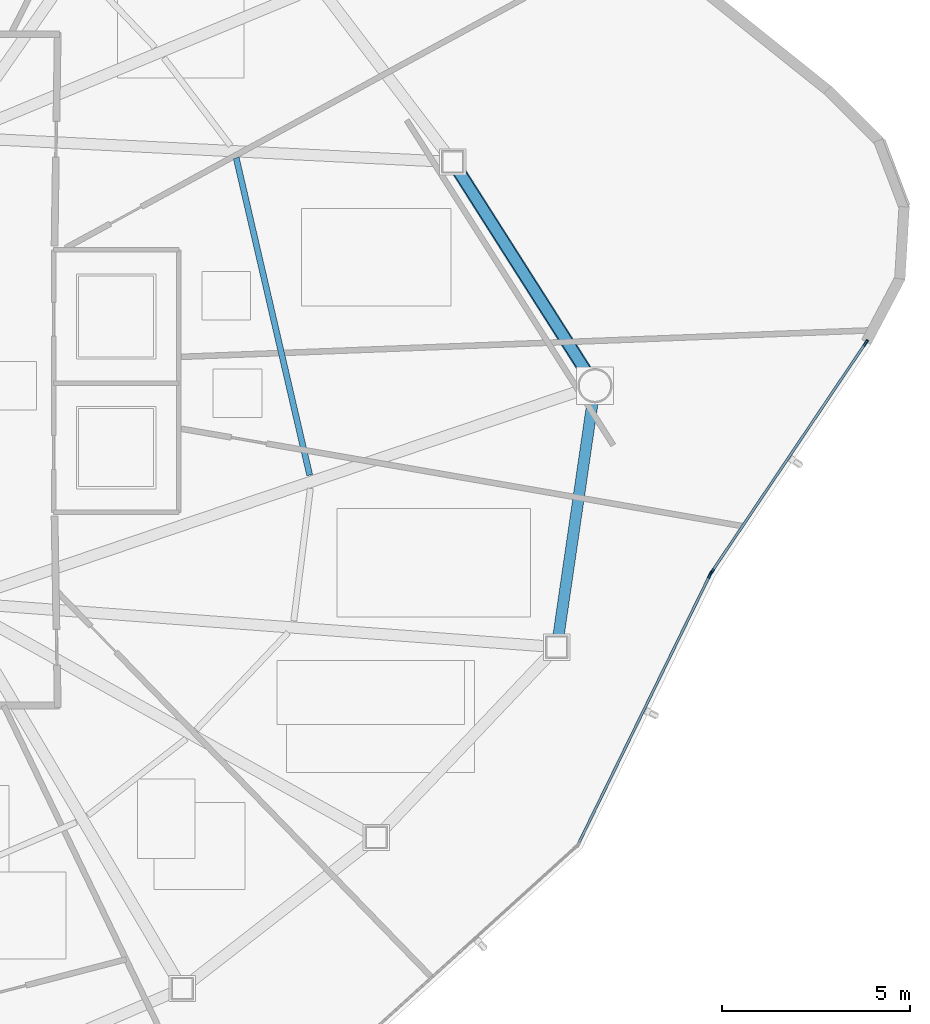
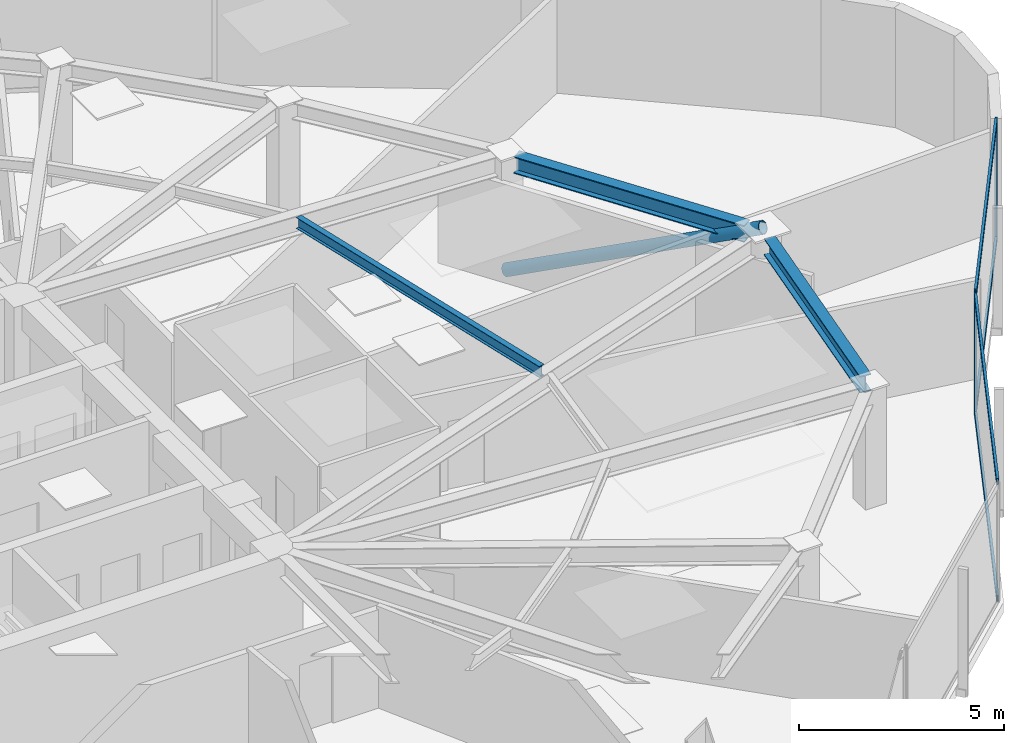
# One storey, part 6 of 17: 8 members, 3 beams, 2 elements without a shape of their own.
"""IFC4 building model written with IfcOpenShell, lengths in metres."""

from ifc_helpers import new_model, si_unit, direction, frame, origin, origin_2d, place, context, subcontext, project, spatial, hollow_rectangle, hollow_circle, i_section, extrude, source, transform, mapped, material, layer, layer_set, material_profile, profile_set, type_object, type_shapes, element, aggregate, save


model = new_model("IFC4")

# Units and contexts
model_context = context("Model", 3, precision=1e-05, world=origin(), true_north=direction((0.0, 1.0)))
body_context = subcontext(model_context, "Body", "Model", "MODEL_VIEW")
ifc_project = project(units=[si_unit("LENGTHUNIT", "METRE"), si_unit("AREAUNIT", "SQUARE_METRE"), si_unit("VOLUMEUNIT", "CUBIC_METRE"), si_unit("PLANEANGLEUNIT", "RADIAN"), si_unit("MASSUNIT", "GRAM", prefix="KILO")], contexts=[model_context])

# Site, building, storey
site_placement = place(None, origin())
site = spatial("IfcSite", under=ifc_project, at=site_placement, CompositionType="ELEMENT")
building_placement = place(site_placement, origin())
building = spatial("IfcBuilding", under=site, at=building_placement, Name="Tavelor Broadcast Tower", CompositionType="ELEMENT")
storey_placement = place(building_placement, frame((0.0, 0.0, 196.449951171875)))
storey = spatial("IfcBuildingStorey", under=building, at=storey_placement, Name="L47", CompositionType="ELEMENT", Elevation=196.449951171875)

# Beams
ifc_material_1 = material(Name="Steel S355", Category="steel")
ifc_material_profile_1 = material_profile(ifc_material_1, i_section(OverallWidth=0.159912109375, OverallDepth=0.330078125, WebThickness=0.007568359375, FlangeThickness=0.011474609375, at=origin_2d()), Name="IPE 330")
ifc_profile_set_1 = profile_set([ifc_material_profile_1], Name="Steel S355")
beam_type_1 = type_object("IfcBeamType", Name="Composite Floor Joist T4 IPE 330", PredefinedType="JOIST", material=ifc_profile_set_1)
beam_1_placement = place(storey_placement, frame((66.069091796875, 42.195068359375, 3.385009765625), z_axis=(-0.225617102792, 0.974216055569, 0.0), x_axis=(-0.974216055569, -0.225617102792, 0.0)))
element("IfcBeam", 1, at=beam_1_placement, inside=storey, type_object=beam_type_1, Name="L47 Secondary Composite Floor Joist 13", PredefinedType="JOIST", context=body_context, shape_type="SweptSolid", body=[
    extrude(i_section(OverallWidth=0.159912109375, OverallDepth=0.330078125, WebThickness=0.007568359375, FlangeThickness=0.011474609375, at=origin_2d()), origin(), (0.0, 0.0, 1.0), 8.683837890625),
])
ifc_material_profile_2 = material_profile(ifc_material_1, i_section(OverallWidth=0.300048828125, OverallDepth=0.5, WebThickness=0.014404296875, FlangeThickness=0.028076171875, at=origin_2d()), Name="HEB 500")
ifc_profile_set_2 = profile_set([ifc_material_profile_2], Name="Steel S355")
beam_type_2 = type_object("IfcBeamType", Name="Perimeter Spandrel Beam T4 HEB 500", PredefinedType="SPANDREL", material=ifc_profile_set_2)
beam_2_placement = place(storey_placement, frame((72.700927734375, 37.892333984375, 3.300048828125), z_axis=(0.144298223799, 0.989534245293, 0.0), x_axis=(-0.989534245293, 0.144298223799, 0.0)))
element("IfcBeam", 2, at=beam_2_placement, inside=storey, type_object=beam_type_2, Name="L47 Framed-Tube Ring Spandrel 12", PredefinedType="SPANDREL", context=body_context, shape_type="SweptSolid", body=[
    extrude(i_section(OverallWidth=0.300048828125, OverallDepth=0.5, WebThickness=0.014404296875, FlangeThickness=0.028076171875, at=origin_2d()), origin(), (0.0, 0.0, 1.0), 6.3193359375),
])
beam_3_placement = place(storey_placement, frame((73.440673828125, 44.94970703125, 3.300048828125), z_axis=(-0.536287336864, 0.844035480486, 0.0), x_axis=(-0.844035480486, -0.536287336864, 0.0)))
element("IfcBeam", 3, at=beam_3_placement, inside=storey, type_object=beam_type_2, Name="L47 Framed-Tube Ring Spandrel 13", PredefinedType="SPANDREL", context=body_context, shape_type="SweptSolid", body=[
    extrude(i_section(OverallWidth=0.300048828125, OverallDepth=0.5, WebThickness=0.014404296875, FlangeThickness=0.028076171875, at=origin_2d()), origin(), (0.0, 0.0, 1.0), 6.340087890625),
])

# Member
ifc_material_profile_3 = material_profile(ifc_material_1, hollow_circle(Radius=0.177734375, WallThickness=0.01611328125, at=origin_2d()), Name="CHS 355.6x16")
ifc_profile_set_3 = profile_set([ifc_material_profile_3], Name="Steel S355")
member_type_1 = type_object("IfcMemberType", Name="Perimeter Tube Brace T4 CHS 355.6x16", PredefinedType="BRACE", material=ifc_profile_set_3)
member_1_placement = place(storey_placement, frame((69.885986328125, 50.544189453125, 0.0), z_axis=(0.479238755177, -0.754205232397, 0.448892729904), x_axis=(0.844021198089, 0.536309814544, 0.0)))
element("IfcMember", 4, at=member_1_placement, inside=storey, type_object=member_type_1, Name="L47 Corner Tube Diagonal Brace 3", PredefinedType="BRACE", context=body_context, shape_type="SweptSolid", body=[
    extrude(hollow_circle(Radius=0.177734375, WallThickness=0.01611328125, at=origin_2d()), origin(), (0.0, 0.0, 1.0), 7.908447265625),
])

# Curtain wall, member
ifc_material_2 = material(Name="Architectural Anodized Aluminium", Category="aluminium")
ifc_layer = layer(ifc_material_2, 0.18994140625)
ifc_layer_set = layer_set([ifc_layer], Name="Architectural Anodized Aluminium")
curtain_wall_type = type_object("IfcCurtainWallType", Name="Tower Mid-Zone Acoustic Curtain Wall CW03", PredefinedType="NOTDEFINED", material=ifc_layer_set)
curtain_wall_1_placement = place(storey_placement, origin())
curtain_wall_1 = element("IfcCurtainWall", 5, at=curtain_wall_1_placement, inside=storey, type_object=curtain_wall_type, Name="L47 Curtain Wall CW03 Run 511", PredefinedType="NOTDEFINED")
ifc_material_profile_4 = material_profile(ifc_material_2, hollow_rectangle(XDim=0.068115234375, YDim=0.18994140625, WallThickness=0.02197265625, at=origin_2d()), Name="RHS 68x190x22")
ifc_profile_set_4 = profile_set([ifc_material_profile_4], Name="Architectural Anodized Aluminium")
member_type_2 = type_object("IfcMemberType", Name="CW03 Extruded Aluminium Mullion 68x190", PredefinedType="MULLION", material=ifc_profile_set_4)
shared_shape_1 = source(origin(), body_context, "Body", "SweptSolid", [
    extrude(hollow_rectangle(XDim=0.068115234375, YDim=0.18994140625, WallThickness=0.02197265625, at=origin_2d()), origin(), (0.0, 0.0, 1.0), 3.550048828125),
])
type_shapes(member_type_2, [shared_shape_1])
member_2_placement = place(storey_placement, frame((76.7421875, 39.531494140625, 0.0), z_axis=(0.0, 0.0, 1.0), x_axis=(-0.898228740478, 0.439528303729, 0.0)))
member_2 = element("IfcMember", 6, at=member_2_placement, type_object=member_type_2, Name="CW03 mullion 2", PredefinedType="MULLION", context=body_context, shape_type="MappedRepresentation", body=[
    mapped(shared_shape_1, transform((0.0, 0.0, 0.0), scale=1.0)),
])

# Curtain wall, members
curtain_wall_2_placement = place(storey_placement, origin())
curtain_wall_2 = element("IfcCurtainWall", 7, at=curtain_wall_2_placement, inside=storey, type_object=curtain_wall_type, Name="L47 Curtain Wall CW03 Run 512", PredefinedType="NOTDEFINED")
member_3_placement = place(storey_placement, frame((76.791015625, 39.6162109375, 0.0), z_axis=(0.0, 0.0, 1.0), x_axis=(-0.829782448755, 0.5580869894, 0.0)))
member_3 = element("IfcMember", 8, at=member_3_placement, type_object=member_type_2, Name="CW03 mullion 1", PredefinedType="MULLION", context=body_context, shape_type="MappedRepresentation", body=[
    mapped(shared_shape_1, transform((0.0, 0.0, 0.0), scale=1.0)),
])
member_4_placement = place(storey_placement, frame((80.896240234375, 45.7197265625, 0.0), z_axis=(0.0, 0.0, 1.0), x_axis=(-0.829782448755, 0.5580869894, 0.0)))
member_4 = element("IfcMember", 9, at=member_4_placement, type_object=member_type_2, Name="CW03 mullion 2", PredefinedType="MULLION", context=body_context, shape_type="MappedRepresentation", body=[
    mapped(shared_shape_1, transform((0.0, 0.0, 0.0), scale=1.0)),
])

# Member
ifc_material_profile_5 = material_profile(ifc_material_2, hollow_rectangle(XDim=0.068115234375, YDim=0.18994140625, WallThickness=0.02197265625, at=origin_2d()), Name="RHS 68x190x22")
ifc_profile_set_5 = profile_set([ifc_material_profile_5], Name="Architectural Anodized Aluminium")
member_type_3 = type_object("IfcMemberType", Name="CW03 Extruded Aluminium Transom 68x190", PredefinedType="USERDEFINED", material=ifc_profile_set_5)
shared_shape_2 = source(origin(), body_context, "Body", "SweptSolid", [
    extrude(hollow_rectangle(XDim=0.068115234375, YDim=0.18994140625, WallThickness=0.02197265625, at=origin_2d()), origin(), (0.0, 0.0, 1.0), 7.90185546875),
])
member_5_placement = place(storey_placement, frame((73.254150390625, 32.4033203125, 0.033935546875), z_axis=(0.43953483148, 0.898225546239, 0.0), x_axis=(-0.898225546239, 0.43953483148, 0.0)))
member_5 = element("IfcMember", 10, at=member_5_placement, type_object=member_type_3, Name="CW03 transom 1.1", ObjectType="TRANSOM", PredefinedType="USERDEFINED", context=body_context, shape_type="MappedRepresentation", body=[
    mapped(shared_shape_2, transform((0.0, 0.0, 0.0), scale=1.0)),
])

member_6_placement = place(storey_placement, frame((73.254150390625, 32.4033203125, 3.51611328125), z_axis=(0.43953483148, 0.898225546239, 0.0), x_axis=(-0.898225546239, 0.43953483148, 0.0)))
member_6 = element("IfcMember", 11, at=member_6_placement, type_object=member_type_3, Name="CW03 transom 1.2", ObjectType="TRANSOM", PredefinedType="USERDEFINED", context=body_context, shape_type="MappedRepresentation", body=[
    mapped(shared_shape_2, transform((0.0, 0.0, 0.0), scale=1.0)),
])

aggregate(curtain_wall_1, [member_2, member_5, member_6])

shared_shape_3 = source(origin(), body_context, "Body", "SweptSolid", [
    extrude(hollow_rectangle(XDim=0.068115234375, YDim=0.18994140625, WallThickness=0.02197265625, at=origin_2d()), origin(), (0.0, 0.0, 1.0), 7.287841796875),
])
type_shapes(member_type_3, [shared_shape_2, shared_shape_3])
member_7_placement = place(storey_placement, frame((76.81005859375, 39.644287109375, 0.033935546875), z_axis=(0.558073954665, 0.829791215382, 0.0), x_axis=(-0.829791215382, 0.558073954665, 0.0)))
member_7 = element("IfcMember", 12, at=member_7_placement, type_object=member_type_3, Name="CW03 transom 1.1", ObjectType="TRANSOM", PredefinedType="USERDEFINED", context=body_context, shape_type="MappedRepresentation", body=[
    mapped(shared_shape_3, transform((0.0, 0.0, 0.0), scale=1.0)),
])

member_8_placement = place(storey_placement, frame((76.81005859375, 39.644287109375, 3.51611328125), z_axis=(0.558073954665, 0.829791215382, 0.0), x_axis=(-0.829791215382, 0.558073954665, 0.0)))
member_8 = element("IfcMember", 13, at=member_8_placement, type_object=member_type_3, Name="CW03 transom 1.2", ObjectType="TRANSOM", PredefinedType="USERDEFINED", context=body_context, shape_type="MappedRepresentation", body=[
    mapped(shared_shape_3, transform((0.0, 0.0, 0.0), scale=1.0)),
])

aggregate(curtain_wall_2, [member_3, member_4, member_7, member_8])

save(model, "model.ifc")
